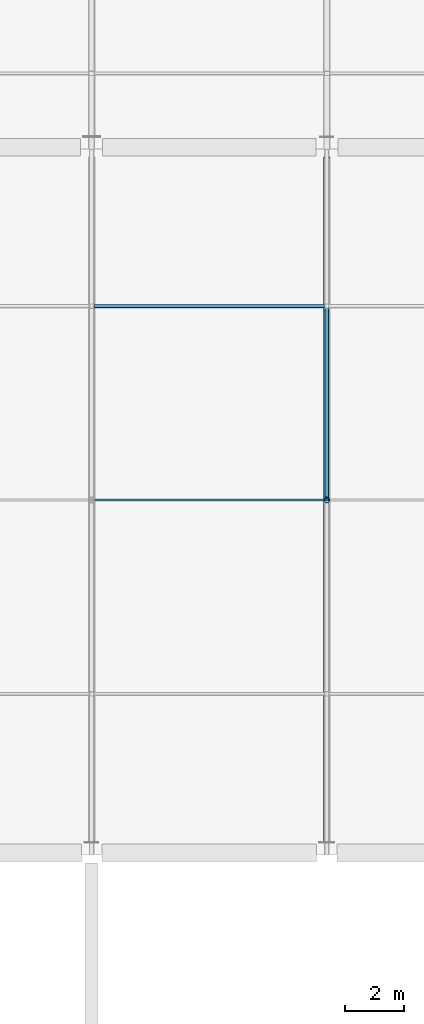
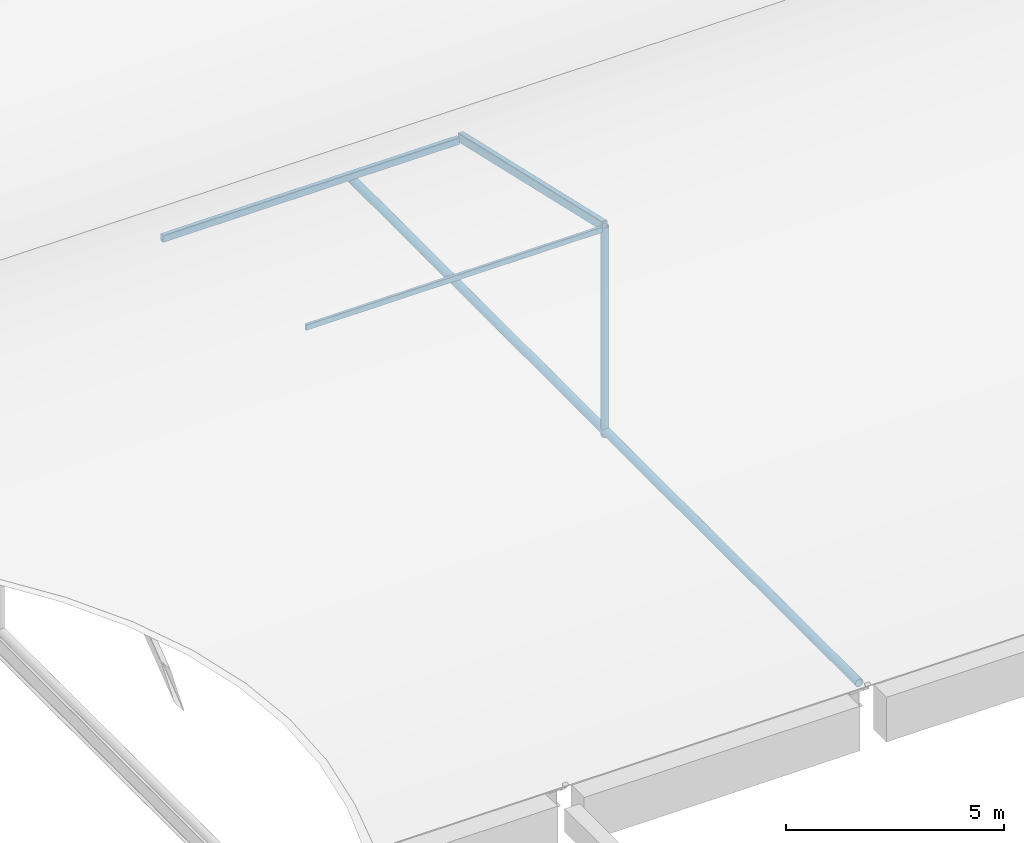
# One storey, part 30 of 57: 5 members.
"""IFC4 building model written with IfcOpenShell, lengths in metres."""

from ifc_helpers import new_model, si_unit, direction, frame, origin, origin_2d, place, context, subcontext, project, spatial, hollow_rectangle, hollow_circle, extrude, material, material_profile, profile_set, type_object, element, save


model = new_model("IFC4")

# Units and contexts
model_context = context("Model", 3, precision=1e-05, world=origin(), true_north=direction((0.0, 1.0)))
body_context = subcontext(model_context, "Body", "Model", "MODEL_VIEW")
ifc_project = project(units=[si_unit("LENGTHUNIT", "METRE"), si_unit("AREAUNIT", "SQUARE_METRE"), si_unit("VOLUMEUNIT", "CUBIC_METRE"), si_unit("PLANEANGLEUNIT", "RADIAN"), si_unit("MASSUNIT", "GRAM", prefix="KILO"), si_unit("THERMODYNAMICTEMPERATUREUNIT", "KELVIN"), si_unit("POWERUNIT", "WATT")], contexts=[model_context])

# Site, building, storey
site_placement = place(None, origin())
site = spatial("IfcSite", under=ifc_project, at=site_placement, CompositionType="ELEMENT")
building_placement = place(site_placement, origin())
building = spatial("IfcBuilding", under=site, at=building_placement, Name="Kronsvod Quay Wholesale Market", CompositionType="ELEMENT")
storey_placement = place(building_placement, frame((0.0, 0.0, 13.199951171875)))
storey = spatial("IfcBuildingStorey", under=building, at=storey_placement, Name="L03", CompositionType="ELEMENT", Elevation=13.199951171875)

# Members
ifc_material_1 = material(Name="Steel S355", Category="steel")
ifc_material_profile_1 = material_profile(ifc_material_1, hollow_rectangle(XDim=0.14990234375, YDim=0.25, WallThickness=0.010009765625, InnerFilletRadius=0.010009765625, OuterFilletRadius=0.02001953125, at=origin_2d()), Name="RHS250x150x10")
ifc_profile_set_1 = profile_set([ifc_material_profile_1], Name="Steel S355")
member_type_1 = type_object("IfcMemberType", Name="Member_Arch250x150", PredefinedType="RAFTER", material=ifc_profile_set_1)
member_1_placement = place(storey_placement, frame((152.0, 66.0, 5.64013671875), z_axis=(0.0, 0.974763902227, -0.223238291777), x_axis=(-1.0, 0.0, 0.0)))
element("IfcMember", 1, at=member_1_placement, inside=storey, type_object=member_type_1, Name="ARCG-SH-V2E-M-1520-2", PredefinedType="RAFTER", context=body_context, shape_type="SweptSolid", body=[
    extrude(hollow_rectangle(XDim=0.14990234375, YDim=0.25, WallThickness=0.010009765625, InnerFilletRadius=0.010009765625, OuterFilletRadius=0.02001953125, at=origin_2d()), origin(), (0.0, 0.0, 1.0), 6.76513671875),
])
ifc_material_2 = material(Name="Steel S355", Category="steel")
ifc_material_profile_2 = material_profile(ifc_material_2, hollow_circle(Radius=0.096923828125, WallThickness=0.008056640625, at=origin_2d()), Name="CHS194x8")
ifc_profile_set_2 = profile_set([ifc_material_profile_2], Name="Steel S355")
member_type_2 = type_object("IfcMemberType", Name="Member_Brace194x8", PredefinedType="BRACE", material=ifc_profile_set_2)
member_2_placement = place(storey_placement, frame((152.0, 66.0, -0.22998046875), z_axis=(0.0, 0.0, 1.0), x_axis=(1.0, 0.0, 0.0)))
element("IfcMember", 2, at=member_2_placement, inside=storey, type_object=member_type_2, Name="KPST-SH-V2E-M-1520", PredefinedType="BRACE", context=body_context, shape_type="SweptSolid", body=[
    extrude(hollow_circle(Radius=0.096923828125, WallThickness=0.008056640625, at=origin_2d()), origin(), (0.0, 0.0, 1.0), 5.8701171875),
])
ifc_material_3 = material(Name="Steel S355", Category="steel")
ifc_material_profile_3 = material_profile(ifc_material_3, hollow_circle(Radius=0.109619140625, WallThickness=0.010009765625, at=origin_2d()), Name="CHS219x10")
ifc_profile_set_3 = profile_set([ifc_material_profile_3], Name="Steel S355")
member_type_3 = type_object("IfcMemberType", Name="Member_Chord219x10", PredefinedType="CHORD", material=ifc_profile_set_3)
member_3_placement = place(storey_placement, frame((152.0, 54.340087890625, -0.079833984375), z_axis=(0.0, 1.0, 0.0), x_axis=(-1.0, 0.0, 0.0)))
element("IfcMember", 3, at=member_3_placement, inside=storey, type_object=member_type_3, Name="CHDG-SH-V2E-M-1520", PredefinedType="CHORD", context=body_context, shape_type="SweptSolid", body=[
    extrude(hollow_circle(Radius=0.109619140625, WallThickness=0.010009765625, at=origin_2d()), origin(), (0.0, 0.0, 1.0), 23.31982421875),
])
ifc_material_4 = material(Name="Steel S355", Category="steel")
ifc_material_profile_4 = material_profile(ifc_material_4, hollow_rectangle(XDim=0.1201171875, YDim=0.199951171875, WallThickness=0.008056640625, InnerFilletRadius=0.008056640625, OuterFilletRadius=0.01611328125, at=origin_2d()), Name="RHS200x120x8")
ifc_profile_set_4 = profile_set([ifc_material_profile_4], Name="Steel S355")
member_type_4 = type_object("IfcMemberType", Name="Member_Girt200x120", PredefinedType="PURLIN", material=ifc_profile_set_4)
member_4_placement = place(storey_placement, frame((144.080078125, 72.594482421875, 4.070068359375), z_axis=(1.0, 0.0, 0.0), x_axis=(0.0, 1.0, 0.0)))
element("IfcMember", 4, at=member_4_placement, inside=storey, type_object=member_type_4, Name="PRLG-SH-V2E-M-1-2", PredefinedType="PURLIN", context=body_context, shape_type="SweptSolid", body=[
    extrude(hollow_rectangle(XDim=0.1201171875, YDim=0.199951171875, WallThickness=0.008056640625, InnerFilletRadius=0.008056640625, OuterFilletRadius=0.01611328125, at=origin_2d()), origin(), (0.0, 0.0, 1.0), 7.83984375),
])
ifc_material_5 = material(Name="Steel S355", Category="steel")
ifc_material_profile_5 = material_profile(ifc_material_5, hollow_rectangle(XDim=0.080078125, YDim=0.159912109375, WallThickness=0.006103515625, InnerFilletRadius=0.006103515625, OuterFilletRadius=0.011962890625, at=origin_2d()), Name="RHS160x80x6")
ifc_profile_set_5 = profile_set([ifc_material_profile_5], Name="Steel S355")
member_type_5 = type_object("IfcMemberType", Name="Member_Purlin160x80", PredefinedType="PURLIN", material=ifc_profile_set_5)
member_5_placement = place(storey_placement, frame((144.080078125, 66.0, 5.580078125), z_axis=(1.0, 0.0, 0.0), x_axis=(0.0, 1.0, 0.0)))
element("IfcMember", 5, at=member_5_placement, inside=storey, type_object=member_type_5, Name="PRLG-SH-V2E-M-1-1", PredefinedType="PURLIN", context=body_context, shape_type="SweptSolid", body=[
    extrude(hollow_rectangle(XDim=0.080078125, YDim=0.159912109375, WallThickness=0.006103515625, InnerFilletRadius=0.006103515625, OuterFilletRadius=0.011962890625, at=origin_2d()), origin(), (0.0, 0.0, 1.0), 7.83984375),
])

save(model, "model.ifc")
